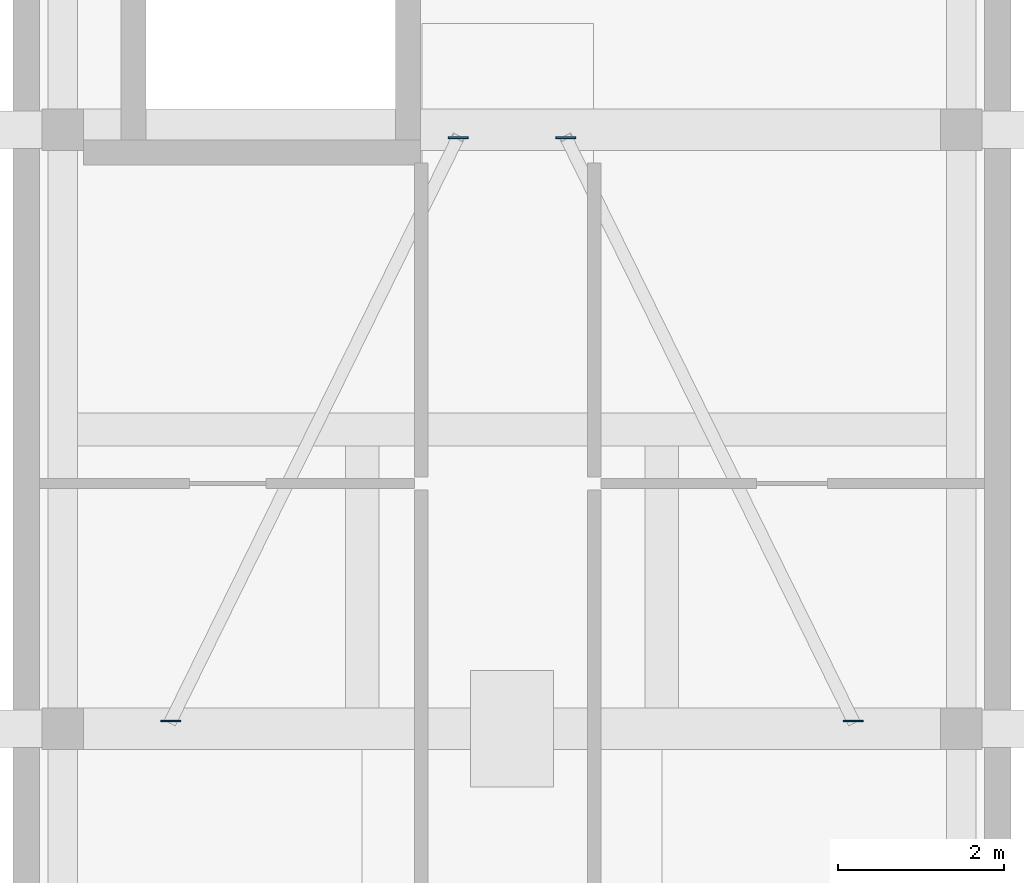
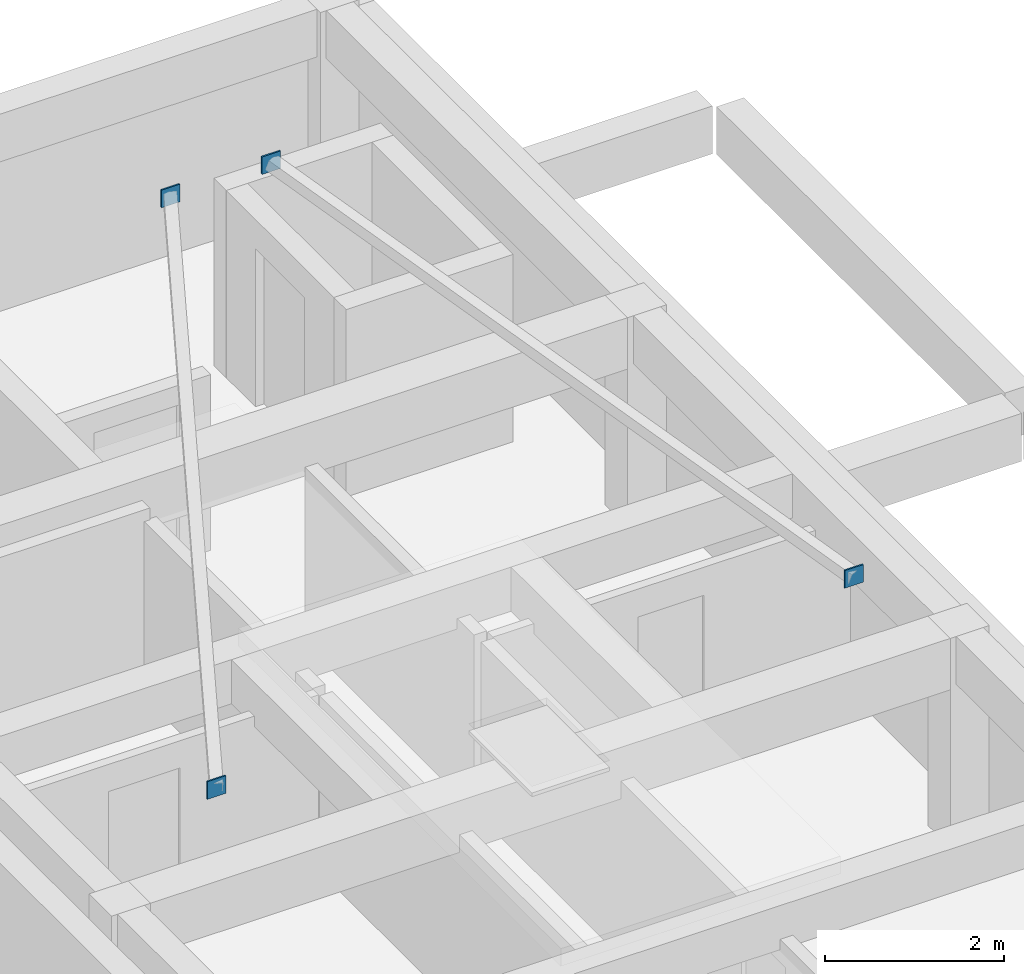
# One storey, part 7 of 9: 4 discrete accessories.
"""IFC4 building model written with IfcOpenShell, lengths in metres."""

from ifc_helpers import new_model, si_unit, derived_unit, direction, frame, origin, origin_2d, place, context, subcontext, project, spatial, rectangle, extrude, material, type_object, element, save


model = new_model("IFC4")

# Units and contexts
model_context = context("Model", 3, precision=1e-05, world=origin(), true_north=direction((0.0, 1.0)))
body_context = subcontext(model_context, "Body", "Model", "MODEL_VIEW")
ifc_project = project(units=[si_unit("LENGTHUNIT", "METRE"), si_unit("AREAUNIT", "SQUARE_METRE"), si_unit("VOLUMEUNIT", "CUBIC_METRE"), si_unit("PLANEANGLEUNIT", "RADIAN"), si_unit("MASSUNIT", "GRAM", prefix="KILO"), derived_unit("THERMALTRANSMITTANCEUNIT", [(si_unit("MASSUNIT", "GRAM", prefix="KILO"), 1), (si_unit("TIMEUNIT", "SECOND"), -3), (si_unit("THERMODYNAMICTEMPERATUREUNIT", "KELVIN"), -1)])], contexts=[model_context])

# Site, building, storey
site_placement = place(None, origin())
site = spatial("IfcSite", under=ifc_project, at=site_placement, CompositionType="ELEMENT")
building_placement = place(site_placement, origin())
building = spatial("IfcBuilding", under=site, at=building_placement, Name="Ochrekiln Boulevard Commons", CompositionType="ELEMENT")
storey_placement = place(building_placement, frame((0.0, 0.0, 46.72509765625)))
storey = spatial("IfcBuildingStorey", under=building, at=storey_placement, Name="L14", CompositionType="ELEMENT", Elevation=46.72509765625)

# Discrete accessories
ifc_material = material(Name="Steel A992 Grade 50", Category="steel")
discrete_accessory_type = type_object("IfcDiscreteAccessoryType", Name="ACC-GUS-PLATE", PredefinedType="BRACKET", material=ifc_material)
for number, where, z_axis, x_axis, name in (
    (1, (6.696044921875, 104.4951171875, 3.736328125), (0.0, 0.0, 1.0), (1.0, 0.0, 0.0), "Block A Brace 6W End Gusset Plate A"),
    (2, (10.152099609375, 111.5048828125, 6.328125), (0.0, 0.0, 1.0), (1.0, 0.0, 0.0), "Block A Brace 6W End Gusset Plate B"),
    (3, (14.904052734375, 104.4951171875, 3.736328125), (0.0, 0.0, 1.0), (1.0, 0.0, 0.0), "Block A Brace 6E End Gusset Plate A"),
    (4, (11.447998046875, 111.5048828125, 6.328125), (0.0, 0.0, 1.0), (1.0, 0.0, 0.0), "Block A Brace 6E End Gusset Plate B"),
):
    element("IfcDiscreteAccessory", number, at=place(storey_placement, frame(where, z_axis=z_axis, x_axis=x_axis)), inside=storey, type_object=discrete_accessory_type, Name=name, PredefinedType="BRACKET", context=body_context, shape_type="SweptSolid", body=[
        extrude(rectangle(XDim=0.239990234375, YDim=0.02001953125, at=origin_2d()), origin(), (0.0, 0.0, 1.0), 0.239990234375),
    ])

save(model, "model.ifc")
